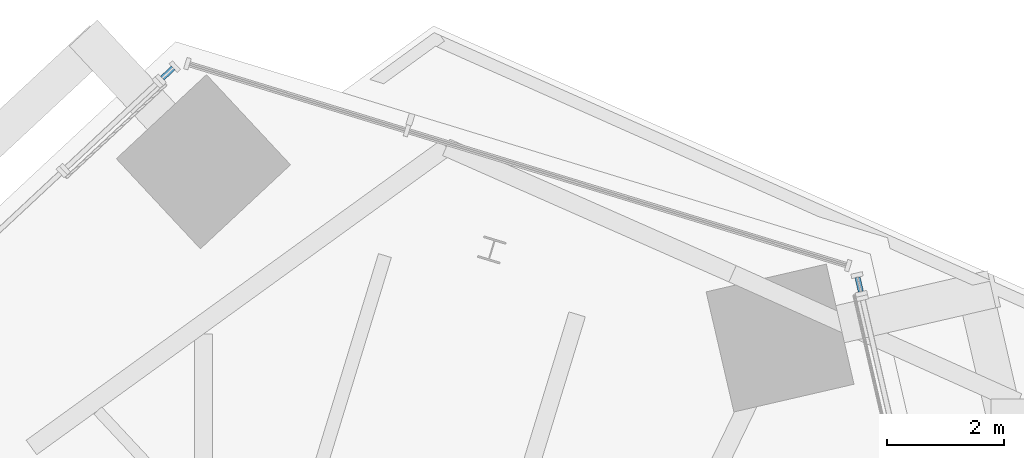
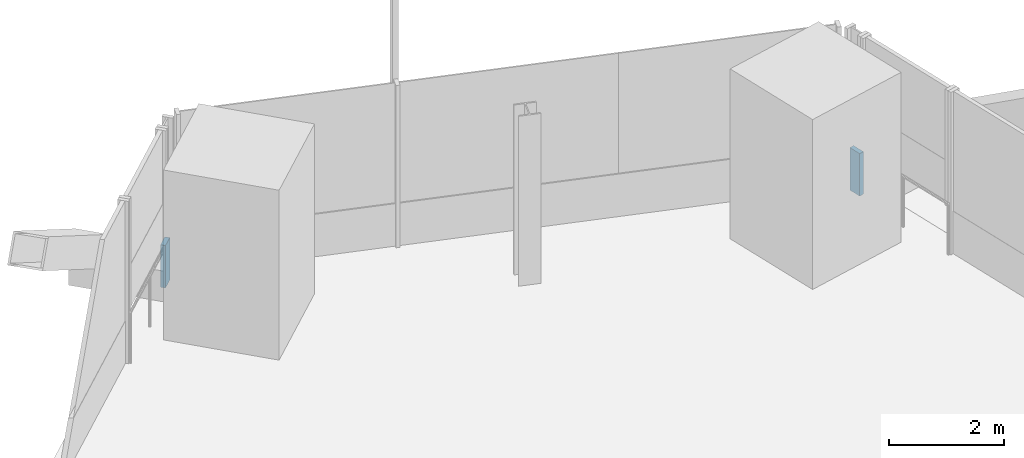
# One storey, part 12 of 25: 2 members, 2 elements without a shape of their own.
"""IFC4 building model written with IfcOpenShell, lengths in metres."""

from ifc_helpers import new_model, si_unit, direction, frame, origin, origin_2d, place, context, subcontext, project, spatial, rectangle, extrude, source, transform, mapped, material, material_profile, profile_set, type_object, element, aggregate, save


model = new_model("IFC4")

# Units and contexts
model_context = context("Model", 3, precision=1e-05, world=origin(), true_north=direction((0.0, 1.0)))
body_context = subcontext(model_context, "Body", "Model", "MODEL_VIEW")
ifc_project = project(units=[si_unit("LENGTHUNIT", "METRE"), si_unit("AREAUNIT", "SQUARE_METRE"), si_unit("VOLUMEUNIT", "CUBIC_METRE"), si_unit("PLANEANGLEUNIT", "RADIAN"), si_unit("MASSUNIT", "GRAM", prefix="KILO")], contexts=[model_context])

# Site, building, storey
site_placement = place(None, origin())
site = spatial("IfcSite", under=ifc_project, at=site_placement, CompositionType="ELEMENT")
building_placement = place(site_placement, origin())
building = spatial("IfcBuilding", under=site, at=building_placement, Name="Triune Harvest Tower", CompositionType="ELEMENT")
storey_placement = place(building_placement, frame((0.0, 0.0, 98.300048828125)))
storey = spatial("IfcBuildingStorey", under=building, at=storey_placement, Name="L24", CompositionType="ELEMENT", Elevation=98.300048828125)

# Curtain wall, member
ifc_material_1 = material(Name="Aluminium bronze anodised", Category="aluminium")
curtain_wall_type = type_object("IfcCurtainWallType", Name="CW-1 Tower stick curtain wall", PredefinedType="NOTDEFINED", material=ifc_material_1)
curtain_wall_1_placement = place(storey_placement, origin())
curtain_wall_1 = element("IfcCurtainWall", 1, at=curtain_wall_1_placement, inside=storey, type_object=curtain_wall_type, Name="CW-1 B3-F1 L24 run 301")
ifc_material_2 = material(Name="Aluminium bronze anodised", Category="aluminium")
ifc_material_profile = material_profile(ifc_material_2, rectangle(XDim=0.090087890625, YDim=0.89990234375, at=origin_2d()), Name="TR-1 transom 90 x 900")
ifc_profile_set = profile_set([ifc_material_profile], Name="Aluminium bronze anodised")
member_type = type_object("IfcMemberType", Name="TR-1 transom 90 x 900", PredefinedType="USERDEFINED", material=ifc_profile_set)
shared_shape_1 = source(origin(), body_context, "Body", "SweptSolid", [
    extrude(rectangle(XDim=0.090087890625, YDim=0.89990234375, at=origin_2d()), origin(), (0.0, 0.0, 1.0), 0.25146484375),
])
member_1_placement = place(storey_placement, frame((15.677734375, 29.9990234375, 0.449951171875), z_axis=(-0.225142997663, 0.974325731264, 0.0), x_axis=(-0.974325731264, -0.225142997663, 0.0)))
member_1 = element("IfcMember", 2, at=member_1_placement, type_object=member_type, Name="CW-1 transom B3-F1 301.1", ObjectType="TRANSOM", PredefinedType="USERDEFINED", context=body_context, shape_type="MappedRepresentation", body=[
    mapped(shared_shape_1, transform((0.0, 0.0, 0.0), scale=1.0)),
])
aggregate(curtain_wall_1, [member_1])

curtain_wall_2_placement = place(storey_placement, origin())
curtain_wall_2 = element("IfcCurtainWall", 3, at=curtain_wall_2_placement, inside=storey, type_object=curtain_wall_type, Name="CW-1 B3-F3 L24 run 1")
shared_shape_2 = source(origin(), body_context, "Body", "SweptSolid", [
    extrude(rectangle(XDim=0.090087890625, YDim=0.89990234375, at=origin_2d()), origin(), (0.0, 0.0, 1.0), 0.251708984375),
])
member_2_placement = place(storey_placement, frame((3.9619140625, 33.808837890625, 0.449951171875), z_axis=(-0.731410005797, -0.681937976227, 0.0), x_axis=(0.681937976227, -0.731410005797, 0.0)))
member_2 = element("IfcMember", 4, at=member_2_placement, type_object=member_type, Name="CW-1 transom B3-F3 1.1", ObjectType="TRANSOM", PredefinedType="USERDEFINED", context=body_context, shape_type="MappedRepresentation", body=[
    mapped(shared_shape_2, transform((0.0, 0.0, 0.0), scale=1.0)),
])
aggregate(curtain_wall_2, [member_2])

save(model, "model.ifc")
